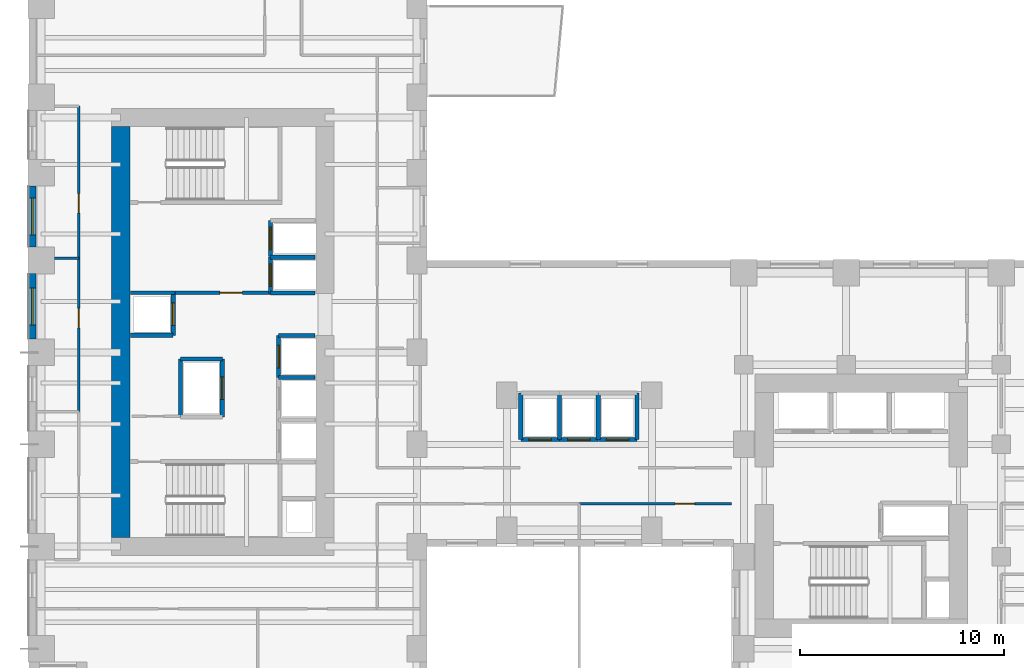
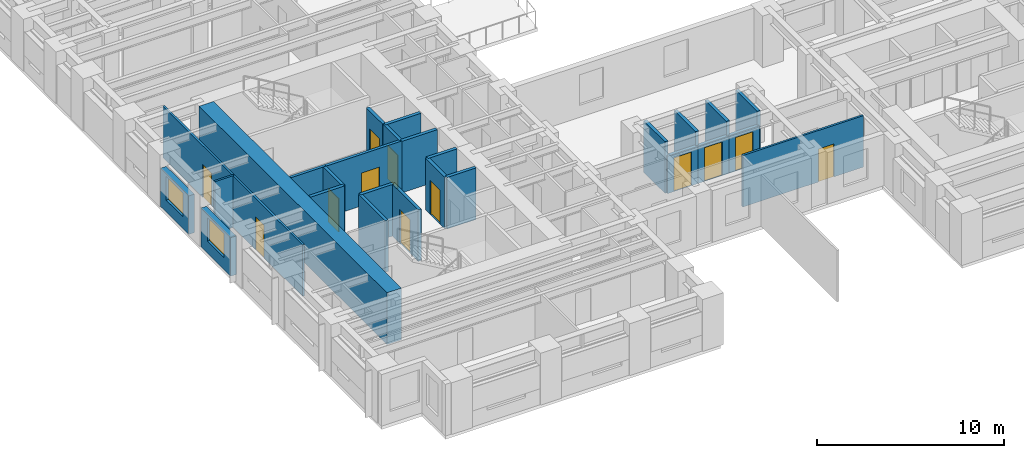
# One storey, part 5 of 12: 28 walls, 12 doors, 2 windows, 14 openings.
"""IFC4 building model written with IfcOpenShell, lengths in metres."""

import ifcopenshell
import ifcopenshell.guid

model = None  # the IFC model being written
_history = None  # IfcOwnerHistory: only IFC2X3 demands one
_inside = {}  # id of a spatial element -> (the spatial element, [elements in it])
_under = {}  # id of a project, library or spatial element -> (it, [spatial elements below it])
_declared = {}  # id of a project -> (the project, [libraries it declares])
_typed = {}  # id of a type object -> (the type object, [elements of that type])
_made_of = {}  # id of a material, layer set ... -> (it, [elements and type objects made of it])


def new_model(schema):
    """Start an empty IFC model of exactly this schema.

    Asked for "IFC4X3", IfcOpenShell would pick the latest addendum, in which some entities
    have other attributes; the version numbers below select the first issue.
    IFC2X3 requires an IfcOwnerHistory on every rooted entity: one is made here for all.
    """
    global model, _history
    if schema == "IFC4X3":
        model = ifcopenshell.file(schema_version=(4, 3, 0, 0))
    else:
        model = ifcopenshell.file(schema=schema)
    _inside.clear()
    _under.clear()
    _declared.clear()
    _typed.clear()
    _made_of.clear()
    _history = None
    if model.schema == "IFC2X3":
        org = make("IfcOrganization", Name="unknown")
        user = make(
            "IfcPersonAndOrganization",
            ThePerson=make("IfcPerson", FamilyName="unknown"),
            TheOrganization=org,
        )
        app = make(
            "IfcApplication",
            ApplicationDeveloper=org,
            Version="unknown",
            ApplicationFullName="unknown",
            ApplicationIdentifier="unknown",
        )
        _history = make(
            "IfcOwnerHistory",
            OwningUser=user,
            OwningApplication=app,
            ChangeAction="ADDED",
            CreationDate=0,
        )
    return model


def make(cls, **values):
    """One entity of the class cls with the attributes given. An attribute that is None is left unset."""
    return model.create_entity(
        cls, **{name: value for name, value in values.items() if value is not None}
    )


def rooted(cls, **values):
    """An entity with a GlobalId (a new one), such as an element, a storey or a relation."""
    return make(cls, GlobalId=ifcopenshell.guid.new(), OwnerHistory=_history, **values)


def si_unit(unit_type, name, prefix=None):
    """IfcSIUnit, for example si_unit("LENGTHUNIT", "METRE", prefix="MILLI")."""
    return make("IfcSIUnit", UnitType=unit_type, Prefix=prefix, Name=name)


def assignment(units):
    """IfcUnitAssignment: the units of a project."""
    return None if units is None else make("IfcUnitAssignment", Units=units)


def point(xyz):
    """IfcCartesianPoint."""
    return None if xyz is None else make("IfcCartesianPoint", Coordinates=xyz)


def direction(xyz):
    """IfcDirection."""
    return None if xyz is None else make("IfcDirection", DirectionRatios=xyz)


def frame(location, z_axis=None, x_axis=None):
    """IfcAxis2Placement3D, a coordinate frame: its origin and axes. An axis left out is left unset."""
    return make(
        "IfcAxis2Placement3D",
        Location=point(location),
        Axis=direction(z_axis),
        RefDirection=direction(x_axis),
    )


def frame_2d(location, x_axis=None):
    """IfcAxis2Placement2D, a coordinate frame in the plane: its origin and x axis."""
    return make(
        "IfcAxis2Placement2D", Location=point(location), RefDirection=direction(x_axis)
    )


def origin():
    """The frame at (0, 0, 0) with its axes left unset."""
    return frame((0.0, 0.0, 0.0))


def place(relative_to, where):
    """IfcLocalPlacement: puts the frame where relative to a parent placement (None: the world)."""
    return make(
        "IfcLocalPlacement", PlacementRelTo=relative_to, RelativePlacement=where
    )


def context(
    kind, dimensions, precision=None, world=None, true_north=None, identifier=None
):
    """IfcGeometricRepresentationContext, for example the 3D "Model" context."""
    return make(
        "IfcGeometricRepresentationContext",
        ContextIdentifier=identifier,
        ContextType=kind,
        CoordinateSpaceDimension=dimensions,
        Precision=precision,
        WorldCoordinateSystem=world,
        TrueNorth=true_north,
    )


def subcontext(parent, identifier, kind, view, scale=None):
    """IfcGeometricRepresentationSubContext, for example "Body" below "Model"."""
    return make(
        "IfcGeometricRepresentationSubContext",
        ContextIdentifier=identifier,
        ContextType=kind,
        ParentContext=parent,
        TargetScale=scale,
        TargetView=view,
    )


def project(units=None, contexts=None):
    """IfcProject with its units and contexts."""
    return rooted(
        "IfcProject",
        Name="project",
        RepresentationContexts=contexts,
        UnitsInContext=assignment(units),
    )


def spatial(cls, under=None, at=None, **own):
    """A site, building, storey or space (cls), placed at a placement, below another one or the project."""
    s = rooted(cls, ObjectPlacement=at, **own)
    if under is not None:
        _under.setdefault(under.id(), (under, []))[1].append(s)
    return s


def profile(cls, at=None, kind="AREA", **sizes):
    """A parametric profile (cls). Its sizes go by their IFC names, for example OverallWidth=200.0."""
    return make(cls, ProfileType=kind, Position=at, **sizes)


def rectangle(**sizes):
    """IfcRectangleProfileDef."""
    return profile("IfcRectangleProfileDef", **sizes)


def extrude(swept, where, along, depth):
    """IfcExtrudedAreaSolid: the profile swept, set in the frame where, extruded along a direction by depth."""
    return make(
        "IfcExtrudedAreaSolid",
        SweptArea=swept,
        Position=where,
        ExtrudedDirection=direction(along),
        Depth=depth,
    )


def shape(context_of_items, identifier, shape_type, items):
    """IfcShapeRepresentation: the items that make up one representation, for example the "Body"."""
    return make(
        "IfcShapeRepresentation",
        ContextOfItems=context_of_items,
        RepresentationIdentifier=identifier,
        RepresentationType=shape_type,
        Items=items,
    )


def source(mapping_origin, context_of_items, identifier, shape_type, items):
    """IfcRepresentationMap: a shape defined once, which mapped items show again and again."""
    return make(
        "IfcRepresentationMap",
        MappingOrigin=mapping_origin,
        MappedRepresentation=shape(context_of_items, identifier, shape_type, items),
    )


def transform(
    local_origin,
    x_axis=None,
    y_axis=None,
    z_axis=None,
    scale=None,
    scale2=None,
    scale3=None,
    uniform=True,
):
    """IfcCartesianTransformationOperator3D, or its non-uniform kind. x_axis, y_axis, z_axis: its Axis1, 2, 3."""
    if uniform:
        return make(
            "IfcCartesianTransformationOperator3D",
            Axis1=direction(x_axis),
            Axis2=direction(y_axis),
            LocalOrigin=point(local_origin),
            Scale=scale,
            Axis3=direction(z_axis),
        )
    return make(
        "IfcCartesianTransformationOperator3DnonUniform",
        Axis1=direction(x_axis),
        Axis2=direction(y_axis),
        LocalOrigin=point(local_origin),
        Scale=scale,
        Axis3=direction(z_axis),
        Scale2=scale2,
        Scale3=scale3,
    )


def mapped(mapping_source, mapping_target):
    """IfcMappedItem: shows the shape of a source again, moved by a transform."""
    return make(
        "IfcMappedItem", MappingSource=mapping_source, MappingTarget=mapping_target
    )


def material(Name=None, Category=None):
    """IfcMaterial."""
    return make("IfcMaterial", Name=Name, Category=Category)


def layer(
    of_material, thickness, ventilated=None, Name=None, Category=None, Priority=None
):
    """IfcMaterialLayer: one layer of a wall or slab, of a material (None: an air gap)."""
    return make(
        "IfcMaterialLayer",
        Material=of_material,
        LayerThickness=thickness,
        IsVentilated=ventilated,
        Name=Name,
        Category=Category,
        Priority=Priority,
    )


def layer_set(layers, Name=None):
    """IfcMaterialLayerSet."""
    return make("IfcMaterialLayerSet", MaterialLayers=layers, LayerSetName=Name)


def made_of(thing, what):
    """Note that an element or type object is made of a material, layer set ...; save() writes the relation."""
    if what is not None:
        _made_of.setdefault(what.id(), (what, []))[1].append(thing)
    return thing


def type_object(cls, material=None, **own):
    """A type object (cls), such as IfcWallType, which elements share."""
    return made_of(rooted(cls, **own), material)


def element(
    cls,
    number,
    at=None,
    inside=None,
    cuts=None,
    type_object=None,
    material=None,
    context=None,
    identifier="Body",
    shape_type=None,
    held_by="IfcProductDefinitionShape",
    body=None,
    shapes=None,
    **own,
):
    """One element of the class cls, such as IfcWall. Its Tag is "e" and its number.

    at: its placement. inside: the storey or other place that contains it. cuts: it is an
    opening in that element (IfcRelVoidsElement). A single representation is given by context,
    identifier, shape_type and body (its items); several are given by shapes. held_by: the class
    of the entity that holds the representations. save() writes the other relations.
    """
    e = rooted(cls, Tag="e%d" % number, ObjectPlacement=at, **own)
    if body is not None:
        shapes = [shape(context, identifier, shape_type, body)]
    if shapes is not None:
        e.Representation = make(held_by, Representations=shapes)
    if inside is not None:
        _inside.setdefault(inside.id(), (inside, []))[1].append(e)
    if cuts is not None:
        rooted(
            "IfcRelVoidsElement", RelatingBuildingElement=cuts, RelatedOpeningElement=e
        )
    if type_object is not None:
        _typed.setdefault(type_object.id(), (type_object, []))[1].append(e)
    return made_of(e, material)


def fill(opening, filler):
    """IfcRelFillsElement: the door or window that sits in an opening."""
    return rooted(
        "IfcRelFillsElement",
        RelatingOpeningElement=opening,
        RelatedBuildingElement=filler,
    )


def aggregate(whole, parts):
    """IfcRelAggregates: a whole, such as a stair, and the parts it consists of."""
    return rooted("IfcRelAggregates", RelatingObject=whole, RelatedObjects=parts)


def save(model, path):
    """Write the relations noted so far, then the file.

    IfcRelAggregates (storeys below a building ...), IfcRelContainedInSpatialStructure (elements
    in a storey), IfcRelDefinesByType, IfcRelAssociatesMaterial and IfcRelDeclares: one each for
    every whole, place, type object, material and project.
    """
    for whole, parts in _under.values():
        aggregate(whole, parts)
    for where, things in _inside.values():
        rooted(
            "IfcRelContainedInSpatialStructure",
            RelatedElements=things,
            RelatingStructure=where,
        )
    for kind, things in _typed.values():
        rooted("IfcRelDefinesByType", RelatedObjects=things, RelatingType=kind)
    for what, things in _made_of.values():
        rooted("IfcRelAssociatesMaterial", RelatedObjects=things, RelatingMaterial=what)
    for by, libraries in _declared.values():
        rooted("IfcRelDeclares", RelatingContext=by, RelatedDefinitions=libraries)
    model.write(path)


model = new_model("IFC4")

# Units and contexts
model_context = context("Model", 3, precision=1e-05, world=origin(), true_north=direction((0.0, 1.0)))
body_context = subcontext(model_context, "Body", "Model", "MODEL_VIEW")
ifc_project = project(units=[si_unit("LENGTHUNIT", "METRE"), si_unit("AREAUNIT", "SQUARE_METRE"), si_unit("VOLUMEUNIT", "CUBIC_METRE"), si_unit("PLANEANGLEUNIT", "RADIAN"), si_unit("MASSUNIT", "GRAM", prefix="KILO")], contexts=[model_context])

# Site, building, storey
site_placement = place(None, origin())
site = spatial("IfcSite", under=ifc_project, at=site_placement, CompositionType="ELEMENT")
building_placement = place(site_placement, origin())
building = spatial("IfcBuilding", under=site, at=building_placement, Name="Kharzan Plaza Tower", CompositionType="ELEMENT")
storey_placement = place(building_placement, frame((0.0, 0.0, 26.10009765625)))
storey = spatial("IfcBuildingStorey", under=building, at=storey_placement, Name="L06", CompositionType="ELEMENT", Elevation=26.10009765625)

# Wall, opening, window
ifc_material_1 = material(Name="Concrete C40/50", Category="concrete")
ifc_layer_1 = layer(ifc_material_1, 0.35009765625)
ifc_layer_set_1 = layer_set([ifc_layer_1], Name="Concrete C40/50")
wall_type_1 = type_object("IfcWallType", Name="WL-EXT-MAS-Z1", PredefinedType="SOLIDWALL", material=ifc_layer_set_1)
wall_1_placement = place(storey_placement, frame((0.175048828125, 26.152099609375, 0.0), z_axis=(0.0, 0.0, 1.0), x_axis=(0.0, -1.0, 0.0)))
wall_1 = element("IfcWall", 1, at=wall_1_placement, inside=storey, type_object=wall_type_1, Name="L06 Masonry-Frame Exterior Wall 15", PredefinedType="SOLIDWALL", context=body_context, shape_type="SweptSolid", body=[
    extrude(rectangle(XDim=3.004150390625, YDim=0.35009765625, at=frame_2d((1.501953125, 0.0))), origin(), (0.0, 0.0, 1.0), 2.510009765625),
])
opening_1_placement = place(wall_1_placement, frame((0.60205078125, 0.0, 0.780029296875)))
opening_1 = element("IfcOpeningElement", 2, at=opening_1_placement, cuts=wall_1, Name="Opening W1", PredefinedType="OPENING", context=body_context, shape_type="SweptSolid", body=[
    extrude(rectangle(XDim=1.800048828125, YDim=1.550048828125, at=frame_2d((0.89990234375, 0.77490234375))), frame((0.0, 0.18505859375, 0.0), z_axis=(0.0, -1.0, 0.0), x_axis=(1.0, 0.0, 0.0)), (0.0, 0.0, 1.0), 0.3701171875),
])
ifc_material_2 = material(Name="Low-E Double Glazing", Category="glass")
window_type = type_object("IfcWindowType", Name="WN-REC-1800x2100", PartitioningType="SINGLE_PANEL", PredefinedType="WINDOW", material=ifc_material_2)
shared_shape_1 = source(origin(), body_context, "Body", "SweptSolid", [
    extrude(rectangle(XDim=1.800048828125, YDim=1.550048828125, at=frame_2d((0.89990234375, 0.77490234375))), frame((0.0, 0.030029296875, 0.0), z_axis=(0.0, -1.0, 0.0), x_axis=(1.0, 0.0, 0.0)), (0.0, 0.0, 1.0), 0.06005859375),
])
window_1_placement = place(opening_1_placement, origin())
window_1 = element("IfcWindow", 3, at=window_1_placement, inside=storey, type_object=window_type, Name="L06 Recessed Solar-Control Window 15-1", OverallHeight=1.550048828125, OverallWidth=1.800048828125, PartitioningType="SINGLE_PANEL", PredefinedType="WINDOW", context=body_context, shape_type="MappedRepresentation", body=[
    mapped(shared_shape_1, transform((0.0, 0.0, 0.0), x_axis=(1.0, 0.0, 0.0), y_axis=(0.0, 1.0, 0.0), z_axis=(0.0, 0.0, 1.0))),
])
fill(opening_1, window_1)

wall_2_placement = place(storey_placement, frame((0.175048828125, 21.85205078125, 0.0), z_axis=(0.0, 0.0, 1.0), x_axis=(0.0, -1.0, 0.0)))
wall_2 = element("IfcWall", 4, at=wall_2_placement, inside=storey, type_object=wall_type_1, Name="L06 Masonry-Frame Exterior Wall 16", PredefinedType="SOLIDWALL", context=body_context, shape_type="SweptSolid", body=[
    extrude(rectangle(XDim=3.2041015625, YDim=0.35009765625, at=frame_2d((1.60205078125, 0.0))), origin(), (0.0, 0.0, 1.0), 2.510009765625),
])
opening_2_placement = place(wall_2_placement, frame((0.701904296875, 0.0, 0.780029296875)))
opening_2 = element("IfcOpeningElement", 5, at=opening_2_placement, cuts=wall_2, Name="Opening W1", PredefinedType="OPENING", context=body_context, shape_type="SweptSolid", body=[
    extrude(rectangle(XDim=1.800048828125, YDim=1.550048828125, at=frame_2d((0.89990234375, 0.77490234375))), frame((0.0, 0.18505859375, 0.0), z_axis=(0.0, -1.0, 0.0), x_axis=(1.0, 0.0, 0.0)), (0.0, 0.0, 1.0), 0.3701171875),
])
window_2_placement = place(opening_2_placement, origin())
window_2 = element("IfcWindow", 6, at=window_2_placement, inside=storey, type_object=window_type, Name="L06 Recessed Solar-Control Window 16-1", OverallHeight=1.550048828125, OverallWidth=1.800048828125, PartitioningType="SINGLE_PANEL", PredefinedType="WINDOW", context=body_context, shape_type="MappedRepresentation", body=[
    mapped(shared_shape_1, transform((0.0, 0.0, 0.0), x_axis=(1.0, 0.0, 0.0), y_axis=(0.0, 1.0, 0.0), z_axis=(0.0, 0.0, 1.0))),
])
fill(opening_2, window_2)

# Wall, opening, door
ifc_layer_2 = layer(ifc_material_1, 0.179931640625)
ifc_layer_set_2 = layer_set([ifc_layer_2], Name="Concrete C40/50")
wall_type_2 = type_object("IfcWallType", Name="WL-INT-FIRE-180", PredefinedType="PARTITIONING", material=ifc_layer_set_2)
wall_3_placement = place(storey_placement, frame((7.14990234375, 20.919921875, 0.0), z_axis=(0.0, 0.0, 1.0), x_axis=(1.0, 0.0, 0.0)))
wall_3 = element("IfcWall", 7, at=wall_3_placement, inside=storey, type_object=wall_type_2, Name="L06 Interior Partition CA-FF-S", PredefinedType="PARTITIONING", context=body_context, shape_type="SweptSolid", body=[
    extrude(rectangle(XDim=4.68017578125, YDim=0.179931640625, at=frame_2d((2.340087890625, 0.0))), origin(), (0.0, 0.0, 1.0), 3.364990234375),
])
opening_3_placement = place(wall_3_placement, frame((2.199951171875, 0.0, 0.0)))
opening_3 = element("IfcOpeningElement", 8, at=opening_3_placement, cuts=wall_3, Name="Opening FD1", PredefinedType="OPENING", context=body_context, shape_type="SweptSolid", body=[
    extrude(rectangle(XDim=1.10009765625, YDim=2.14990234375, at=frame_2d((0.550048828125, 1.074951171875))), frame((0.0, 0.099853515625, 0.0), z_axis=(0.0, -1.0, 0.0), x_axis=(1.0, 0.0, 0.0)), (0.0, 0.0, 1.0), 0.199951171875),
])
ifc_material_3 = material(Name="Fire-Rated Acoustic Vision-Panel Steel", Category="steel")
door_type_1 = type_object("IfcDoorType", Name="DR-FIRE-LOBBY", OperationType="NOTDEFINED", PredefinedType="DOOR", material=ifc_material_3)
shared_shape_2 = source(origin(), body_context, "Body", "SweptSolid", [
    extrude(rectangle(XDim=1.10009765625, YDim=2.14990234375, at=frame_2d((0.550048828125, 1.074951171875))), frame((0.0, 0.02490234375, 0.0), z_axis=(0.0, -1.0, 0.0), x_axis=(1.0, 0.0, 0.0)), (0.0, 0.0, 1.0), 0.050048828125),
])
door_1_placement = place(opening_3_placement, origin())
door_1 = element("IfcDoor", 9, at=door_1_placement, inside=storey, type_object=door_type_1, Name="L06 Firefighting Lobby Door", OperationType="SINGLE_SWING_LEFT", OverallHeight=2.14990234375, OverallWidth=1.10009765625, PredefinedType="DOOR", context=body_context, shape_type="MappedRepresentation", body=[
    mapped(shared_shape_2, transform((0.0, 0.0, 0.0), x_axis=(1.0, 0.0, 0.0), y_axis=(0.0, 1.0, 0.0), z_axis=(0.0, 0.0, 1.0))),
])
fill(opening_3, door_1)

ifc_material_4 = material(Name="Fire-Rated Gypsum Board Partition", Category="gypsum")
ifc_layer_3 = layer(ifc_material_4, 0.125)
ifc_layer_set_3 = layer_set([ifc_layer_3], Name="Fire-Rated Gypsum Board Partition")
wall_type_3 = type_object("IfcWallType", Name="WL-INT-PART-125", PredefinedType="PARTITIONING", material=ifc_layer_set_3)
wall_4_placement = place(storey_placement, frame((26.949951171875, 10.60009765625, 0.0), z_axis=(0.0, 0.0, 1.0), x_axis=(1.0, 0.0, 0.0)))
wall_4 = element("IfcWall", 10, at=wall_4_placement, inside=storey, type_object=wall_type_3, Name="L06 Interior Partition SH-SPS2", PredefinedType="PARTITIONING", context=body_context, shape_type="SweptSolid", body=[
    extrude(rectangle(XDim=7.449951171875, YDim=0.125, at=frame_2d((3.72509765625, 0.0))), origin(), (0.0, 0.0, 1.0), 3.364990234375),
])
opening_4_placement = place(wall_4_placement, frame((4.6826171875, 0.0, 0.0)))
opening_4 = element("IfcOpeningElement", 11, at=opening_4_placement, cuts=wall_4, Name="Opening OD1", PredefinedType="OPENING", context=body_context, shape_type="SweptSolid", body=[
    extrude(rectangle(XDim=0.949951171875, YDim=2.14990234375, at=frame_2d((0.47509765625, 1.074951171875))), frame((0.0, 0.072509765625, 0.0), z_axis=(0.0, -1.0, 0.0), x_axis=(1.0, 0.0, 0.0)), (0.0, 0.0, 1.0), 0.14501953125),
])
ifc_material_5 = material(Name="Acoustic Solid-Core Stained Oak", Category="timber")
door_type_2 = type_object("IfcDoorType", Name="DR-OFF-SINGLE", OperationType="NOTDEFINED", PredefinedType="DOOR", material=ifc_material_5)
shared_shape_3 = source(origin(), body_context, "Body", "SweptSolid", [
    extrude(rectangle(XDim=0.949951171875, YDim=2.14990234375, at=frame_2d((0.47509765625, 1.074951171875))), frame((0.0, 0.02490234375, 0.0), z_axis=(0.0, -1.0, 0.0), x_axis=(1.0, 0.0, 0.0)), (0.0, 0.0, 1.0), 0.050048828125),
])
door_2_placement = place(opening_4_placement, origin())
door_2 = element("IfcDoor", 12, at=door_2_placement, inside=storey, type_object=door_type_2, Name="L06 South Spine East Door", OperationType="SINGLE_SWING_LEFT", OverallHeight=2.14990234375, OverallWidth=0.949951171875, PredefinedType="DOOR", context=body_context, shape_type="MappedRepresentation", body=[
    mapped(shared_shape_3, transform((0.0, 0.0, 0.0), x_axis=(1.0, 0.0, 0.0), y_axis=(0.0, 1.0, 0.0), z_axis=(0.0, 0.0, 1.0))),
])
fill(opening_4, door_2)

wall_5_placement = place(storey_placement, frame((2.449951171875, 15.10009765625, 0.0), z_axis=(0.0, 0.0, 1.0), x_axis=(0.0, 1.0, 0.0)))
wall_5 = element("IfcWall", 13, at=wall_5_placement, inside=storey, type_object=wall_type_3, Name="L06 Interior Partition SH-WW-2", PredefinedType="PARTITIONING", context=body_context, shape_type="SweptSolid", body=[
    extrude(rectangle(XDim=7.5, YDim=0.125, at=frame_2d((3.75, 0.0))), origin(), (0.0, 0.0, 1.0), 3.364990234375),
])
opening_5_placement = place(wall_5_placement, frame((4.100341796875, 0.0, 0.0)))
opening_5 = element("IfcOpeningElement", 14, at=opening_5_placement, cuts=wall_5, Name="Opening OD1", PredefinedType="OPENING", context=body_context, shape_type="SweptSolid", body=[
    extrude(rectangle(XDim=0.949951171875, YDim=2.14990234375, at=frame_2d((0.47509765625, 1.074951171875))), frame((0.0, 0.072509765625, 0.0), z_axis=(0.0, -1.0, 0.0), x_axis=(1.0, 0.0, 0.0)), (0.0, 0.0, 1.0), 0.14501953125),
])
door_3_placement = place(opening_5_placement, origin())
door_3 = element("IfcDoor", 15, at=door_3_placement, inside=storey, type_object=door_type_2, Name="L06 Project Controls Office Door", OperationType="SINGLE_SWING_LEFT", OverallHeight=2.14990234375, OverallWidth=0.949951171875, PredefinedType="DOOR", context=body_context, shape_type="MappedRepresentation", body=[
    mapped(shared_shape_3, transform((0.0, 0.0, 0.0), x_axis=(1.0, 0.0, 0.0), y_axis=(0.0, 1.0, 0.0), z_axis=(0.0, 0.0, 1.0))),
])
fill(opening_5, door_3)

wall_6_placement = place(storey_placement, frame((2.449951171875, 22.60009765625, 0.0), z_axis=(0.0, 0.0, 1.0), x_axis=(0.0, 1.0, 0.0)))
wall_6 = element("IfcWall", 16, at=wall_6_placement, inside=storey, type_object=wall_type_3, Name="L06 Interior Partition SH-WW-3", PredefinedType="PARTITIONING", context=body_context, shape_type="SweptSolid", body=[
    extrude(rectangle(XDim=7.449951171875, YDim=0.125, at=frame_2d((3.72509765625, 0.0))), origin(), (0.0, 0.0, 1.0), 3.364990234375),
])
opening_6_placement = place(wall_6_placement, frame((2.226806640625, 0.0, 0.0)))
opening_6 = element("IfcOpeningElement", 17, at=opening_6_placement, cuts=wall_6, Name="Opening OD1", PredefinedType="OPENING", context=body_context, shape_type="SweptSolid", body=[
    extrude(rectangle(XDim=0.949951171875, YDim=2.14990234375, at=frame_2d((0.47509765625, 1.074951171875))), frame((0.0, 0.072509765625, 0.0), z_axis=(0.0, -1.0, 0.0), x_axis=(1.0, 0.0, 0.0)), (0.0, 0.0, 1.0), 0.14501953125),
])
door_4_placement = place(opening_6_placement, origin())
door_4 = element("IfcDoor", 18, at=door_4_placement, inside=storey, type_object=door_type_2, Name="L06 Design Review Briefing Room Door", OperationType="SINGLE_SWING_RIGHT", OverallHeight=2.14990234375, OverallWidth=0.949951171875, PredefinedType="DOOR", context=body_context, shape_type="MappedRepresentation", body=[
    mapped(shared_shape_3, transform((0.0, 0.0, 0.0), x_axis=(1.0, 0.0, 0.0), y_axis=(0.0, 1.0, 0.0), z_axis=(0.0, 0.0, 1.0))),
])
fill(opening_6, door_4)

ifc_layer_4 = layer(ifc_material_1, 0.199951171875)
ifc_layer_set_4 = layer_set([ifc_layer_4], Name="Concrete C40/50")
wall_type_4 = type_object("IfcWallType", Name="WL-INT-SHAFT-200", PredefinedType="PARTITIONING", material=ifc_layer_set_4)
wall_7_placement = place(storey_placement, frame((11.830078125, 20.89990234375, 0.0), z_axis=(0.0, 0.0, 1.0), x_axis=(0.0, 1.0, 0.0)))
wall_7 = element("IfcWall", 19, at=wall_7_placement, inside=storey, type_object=wall_type_4, Name="L06 Interior Partition SHF-FFL-1-W", PredefinedType="PARTITIONING", context=body_context, shape_type="SweptSolid", body=[
    extrude(rectangle(XDim=1.760009765625, YDim=0.199951171875, at=frame_2d((0.8798828125, 0.0))), origin(), (0.0, 0.0, 1.0), 3.364990234375),
])
opening_7_placement = place(wall_7_placement, frame((0.330078125, 0.0, 0.0)))
opening_7 = element("IfcOpeningElement", 20, at=opening_7_placement, cuts=wall_7, Name="Opening LD", PredefinedType="OPENING", context=body_context, shape_type="SweptSolid", body=[
    extrude(rectangle(XDim=1.10009765625, YDim=2.199951171875, at=frame_2d((0.550048828125, 1.10009765625))), frame((0.0, 0.10986328125, 0.0), z_axis=(0.0, -1.0, 0.0), x_axis=(1.0, 0.0, 0.0)), (0.0, 0.0, 1.0), 0.219970703125),
])
ifc_material_6 = material(Name="Brushed Stainless Steel", Category="steel")
door_type_3 = type_object("IfcDoorType", Name="DR-LIFT-SLIDE", OperationType="SLIDING_TO_LEFT", PredefinedType="DOOR", material=ifc_material_6)
shared_shape_4 = source(origin(), body_context, "Body", "SweptSolid", [
    extrude(rectangle(XDim=1.10009765625, YDim=2.199951171875, at=frame_2d((0.550048828125, 1.10009765625))), frame((0.0, 0.02490234375, 0.0), z_axis=(0.0, -1.0, 0.0), x_axis=(1.0, 0.0, 0.0)), (0.0, 0.0, 1.0), 0.050048828125),
])
door_5_placement = place(opening_7_placement, origin())
door_5 = element("IfcDoor", 21, at=door_5_placement, inside=storey, type_object=door_type_3, Name="L06 Firefighting Lift FFL-1 Sliding Landing Door", OperationType="SLIDING_TO_LEFT", OverallHeight=2.199951171875, OverallWidth=1.10009765625, PredefinedType="DOOR", context=body_context, shape_type="MappedRepresentation", body=[
    mapped(shared_shape_4, transform((0.0, 0.0, 0.0), x_axis=(1.0, 0.0, 0.0), y_axis=(0.0, 1.0, 0.0), z_axis=(0.0, 0.0, 1.0))),
])
fill(opening_7, door_5)

wall_8_placement = place(storey_placement, frame((11.830078125, 22.699951171875, 0.0), z_axis=(0.0, 0.0, 1.0), x_axis=(0.0, 1.0, 0.0)))
wall_8 = element("IfcWall", 22, at=wall_8_placement, inside=storey, type_object=wall_type_4, Name="L06 Interior Partition SHF-FFL-2-W", PredefinedType="PARTITIONING", context=body_context, shape_type="SweptSolid", body=[
    extrude(rectangle(XDim=1.760009765625, YDim=0.199951171875, at=frame_2d((0.8798828125, 0.0))), origin(), (0.0, 0.0, 1.0), 3.364990234375),
])
opening_8_placement = place(wall_8_placement, frame((0.330078125, 0.0, 0.0)))
opening_8 = element("IfcOpeningElement", 23, at=opening_8_placement, cuts=wall_8, Name="Opening LD", PredefinedType="OPENING", context=body_context, shape_type="SweptSolid", body=[
    extrude(rectangle(XDim=1.10009765625, YDim=2.199951171875, at=frame_2d((0.550048828125, 1.10009765625))), frame((0.0, 0.10986328125, 0.0), z_axis=(0.0, -1.0, 0.0), x_axis=(1.0, 0.0, 0.0)), (0.0, 0.0, 1.0), 0.219970703125),
])
door_6_placement = place(opening_8_placement, origin())
door_6 = element("IfcDoor", 24, at=door_6_placement, inside=storey, type_object=door_type_3, Name="L06 Firefighting Lift FFL-2 Sliding Landing Door", OperationType="SLIDING_TO_LEFT", OverallHeight=2.199951171875, OverallWidth=1.10009765625, PredefinedType="DOOR", context=body_context, shape_type="MappedRepresentation", body=[
    mapped(shared_shape_4, transform((0.0, 0.0, 0.0), x_axis=(1.0, 0.0, 0.0), y_axis=(0.0, 1.0, 0.0), z_axis=(0.0, 0.0, 1.0))),
])
fill(opening_8, door_6)

wall_9_placement = place(storey_placement, frame((12.22998046875, 16.77001953125, 0.0), z_axis=(0.0, 0.0, 1.0), x_axis=(0.0, 1.0, 0.0)))
wall_9 = element("IfcWall", 25, at=wall_9_placement, inside=storey, type_object=wall_type_4, Name="L06 Interior Partition SHF-PL-H3-W", PredefinedType="PARTITIONING", context=body_context, shape_type="SweptSolid", body=[
    extrude(rectangle(XDim=2.050048828125, YDim=0.199951171875, at=frame_2d((1.02490234375, 0.0))), origin(), (0.0, 0.0, 1.0), 3.364990234375),
])
opening_9_placement = place(wall_9_placement, frame((0.47509765625, 0.0, 0.0)))
opening_9 = element("IfcOpeningElement", 26, at=opening_9_placement, cuts=wall_9, Name="Opening LD", PredefinedType="OPENING", context=body_context, shape_type="SweptSolid", body=[
    extrude(rectangle(XDim=1.10009765625, YDim=2.199951171875, at=frame_2d((0.550048828125, 1.10009765625))), frame((0.0, 0.10986328125, 0.0), z_axis=(0.0, -1.0, 0.0), x_axis=(1.0, 0.0, 0.0)), (0.0, 0.0, 1.0), 0.219970703125),
])
door_7_placement = place(opening_9_placement, origin())
door_7 = element("IfcDoor", 27, at=door_7_placement, inside=storey, type_object=door_type_3, Name="L06 High-Rise Passenger Lift PL-H3 Sliding Landing Door", OperationType="SLIDING_TO_LEFT", OverallHeight=2.199951171875, OverallWidth=1.10009765625, PredefinedType="DOOR", context=body_context, shape_type="MappedRepresentation", body=[
    mapped(shared_shape_4, transform((0.0, 0.0, 0.0), x_axis=(1.0, 0.0, 0.0), y_axis=(0.0, 1.0, 0.0), z_axis=(0.0, 0.0, 1.0))),
])
fill(opening_9, door_7)

wall_10_placement = place(storey_placement, frame((7.070068359375, 18.840087890625, 0.0), z_axis=(0.0, 0.0, 1.0), x_axis=(0.0, 1.0, 0.0)))
wall_10 = element("IfcWall", 28, at=wall_10_placement, inside=storey, type_object=wall_type_4, Name="L06 Interior Partition SHF-PL-H4-E", PredefinedType="PARTITIONING", context=body_context, shape_type="SweptSolid", body=[
    extrude(rectangle(XDim=2.059814453125, YDim=0.199951171875, at=frame_2d((1.02978515625, 0.0))), origin(), (0.0, 0.0, 1.0), 3.364990234375),
])
opening_10_placement = place(wall_10_placement, frame((0.47998046875, 0.0, 0.0)))
opening_10 = element("IfcOpeningElement", 29, at=opening_10_placement, cuts=wall_10, Name="Opening LD", PredefinedType="OPENING", context=body_context, shape_type="SweptSolid", body=[
    extrude(rectangle(XDim=1.10009765625, YDim=2.199951171875, at=frame_2d((0.550048828125, 1.10009765625))), frame((0.0, 0.10986328125, 0.0), z_axis=(0.0, -1.0, 0.0), x_axis=(1.0, 0.0, 0.0)), (0.0, 0.0, 1.0), 0.219970703125),
])
door_8_placement = place(opening_10_placement, origin())
door_8 = element("IfcDoor", 30, at=door_8_placement, inside=storey, type_object=door_type_3, Name="L06 High-Rise Passenger Lift PL-H4 Sliding Landing Door", OperationType="SLIDING_TO_LEFT", OverallHeight=2.199951171875, OverallWidth=1.10009765625, PredefinedType="DOOR", context=body_context, shape_type="MappedRepresentation", body=[
    mapped(shared_shape_4, transform((0.0, 0.0, 0.0), x_axis=(1.0, 0.0, 0.0), y_axis=(0.0, 1.0, 0.0), z_axis=(0.0, 0.0, 1.0))),
])
fill(opening_10, door_8)

wall_11_placement = place(storey_placement, frame((24.080078125, 13.72998046875, 0.0), z_axis=(0.0, 0.0, 1.0), x_axis=(1.0, 0.0, 0.0)))
wall_11 = element("IfcWall", 31, at=wall_11_placement, inside=storey, type_object=wall_type_4, Name="L06 Interior Partition SHF-PL-M1-S", PredefinedType="PARTITIONING", context=body_context, shape_type="SweptSolid", body=[
    extrude(rectangle(XDim=1.889892578125, YDim=0.199951171875, at=frame_2d((0.94482421875, 0.0))), origin(), (0.0, 0.0, 1.0), 2.44580078125),
])
opening_11_placement = place(wall_11_placement, frame((0.39501953125, 0.0, 0.0)))
opening_11 = element("IfcOpeningElement", 32, at=opening_11_placement, cuts=wall_11, Name="Opening LD", PredefinedType="OPENING", context=body_context, shape_type="SweptSolid", body=[
    extrude(rectangle(XDim=1.10009765625, YDim=2.199951171875, at=frame_2d((0.550048828125, 1.10009765625))), frame((0.0, 0.10986328125, 0.0), z_axis=(0.0, -1.0, 0.0), x_axis=(1.0, 0.0, 0.0)), (0.0, 0.0, 1.0), 0.219970703125),
])
door_9_placement = place(opening_11_placement, origin())
door_9 = element("IfcDoor", 33, at=door_9_placement, inside=storey, type_object=door_type_3, Name="L06 Mid-Rise Passenger Lift PL-M1 Sliding Landing Door", OperationType="SLIDING_TO_LEFT", OverallHeight=2.199951171875, OverallWidth=1.10009765625, PredefinedType="DOOR", context=body_context, shape_type="MappedRepresentation", body=[
    mapped(shared_shape_4, transform((0.0, 0.0, 0.0), x_axis=(1.0, 0.0, 0.0), y_axis=(0.0, 1.0, 0.0), z_axis=(0.0, 0.0, 1.0))),
])
fill(opening_11, door_9)

wall_12_placement = place(storey_placement, frame((25.97998046875, 13.72998046875, 0.0), z_axis=(0.0, 0.0, 1.0), x_axis=(1.0, 0.0, 0.0)))
wall_12 = element("IfcWall", 34, at=wall_12_placement, inside=storey, type_object=wall_type_4, Name="L06 Interior Partition SHF-PL-M2-S", PredefinedType="PARTITIONING", context=body_context, shape_type="SweptSolid", body=[
    extrude(rectangle(XDim=1.89013671875, YDim=0.199951171875, at=frame_2d((0.945068359375, 0.0))), origin(), (0.0, 0.0, 1.0), 2.44580078125),
])
opening_12_placement = place(wall_12_placement, frame((0.39501953125, 0.0, 0.0)))
opening_12 = element("IfcOpeningElement", 35, at=opening_12_placement, cuts=wall_12, Name="Opening LD", PredefinedType="OPENING", context=body_context, shape_type="SweptSolid", body=[
    extrude(rectangle(XDim=1.10009765625, YDim=2.199951171875, at=frame_2d((0.550048828125, 1.10009765625))), frame((0.0, 0.10986328125, 0.0), z_axis=(0.0, -1.0, 0.0), x_axis=(1.0, 0.0, 0.0)), (0.0, 0.0, 1.0), 0.219970703125),
])
door_10_placement = place(opening_12_placement, origin())
door_10 = element("IfcDoor", 36, at=door_10_placement, inside=storey, type_object=door_type_3, Name="L06 Mid-Rise Passenger Lift PL-M2 Sliding Landing Door", OperationType="SLIDING_TO_LEFT", OverallHeight=2.199951171875, OverallWidth=1.10009765625, PredefinedType="DOOR", context=body_context, shape_type="MappedRepresentation", body=[
    mapped(shared_shape_4, transform((0.0, 0.0, 0.0), x_axis=(1.0, 0.0, 0.0), y_axis=(0.0, 1.0, 0.0), z_axis=(0.0, 0.0, 1.0))),
])
fill(opening_12, door_10)

wall_13_placement = place(storey_placement, frame((27.8798828125, 13.72998046875, 0.0), z_axis=(0.0, 0.0, 1.0), x_axis=(1.0, 0.0, 0.0)))
wall_13 = element("IfcWall", 37, at=wall_13_placement, inside=storey, type_object=wall_type_4, Name="L06 Interior Partition SHF-PL-M3-S", PredefinedType="PARTITIONING", context=body_context, shape_type="SweptSolid", body=[
    extrude(rectangle(XDim=1.89013671875, YDim=0.199951171875, at=frame_2d((0.945068359375, 0.0))), origin(), (0.0, 0.0, 1.0), 2.44580078125),
])
opening_13_placement = place(wall_13_placement, frame((0.39501953125, 0.0, 0.0)))
opening_13 = element("IfcOpeningElement", 38, at=opening_13_placement, cuts=wall_13, Name="Opening LD", PredefinedType="OPENING", context=body_context, shape_type="SweptSolid", body=[
    extrude(rectangle(XDim=1.10009765625, YDim=2.199951171875, at=frame_2d((0.550048828125, 1.10009765625))), frame((0.0, 0.10986328125, 0.0), z_axis=(0.0, -1.0, 0.0), x_axis=(1.0, 0.0, 0.0)), (0.0, 0.0, 1.0), 0.219970703125),
])
door_11_placement = place(opening_13_placement, origin())
door_11 = element("IfcDoor", 39, at=door_11_placement, inside=storey, type_object=door_type_3, Name="L06 Mid-Rise Passenger Lift PL-M3 Sliding Landing Door", OperationType="SLIDING_TO_LEFT", OverallHeight=2.199951171875, OverallWidth=1.10009765625, PredefinedType="DOOR", context=body_context, shape_type="MappedRepresentation", body=[
    mapped(shared_shape_4, transform((0.0, 0.0, 0.0), x_axis=(1.0, 0.0, 0.0), y_axis=(0.0, 1.0, 0.0), z_axis=(0.0, 0.0, 1.0))),
])
fill(opening_13, door_11)

wall_14_placement = place(storey_placement, frame((9.469970703125, 14.830078125, 0.0), z_axis=(0.0, 0.0, 1.0), x_axis=(0.0, 1.0, 0.0)))
wall_14 = element("IfcWall", 40, at=wall_14_placement, inside=storey, type_object=wall_type_4, Name="L06 Interior Partition SHF-SVL-1-E", PredefinedType="PARTITIONING", context=body_context, shape_type="SweptSolid", body=[
    extrude(rectangle(XDim=2.83984375, YDim=0.199951171875, at=frame_2d((1.419921875, 0.0))), origin(), (0.0, 0.0, 1.0), 3.364990234375),
])
opening_14_placement = place(wall_14_placement, frame((0.8701171875, 0.0, 0.0)))
opening_14 = element("IfcOpeningElement", 41, at=opening_14_placement, cuts=wall_14, Name="Opening LD", PredefinedType="OPENING", context=body_context, shape_type="SweptSolid", body=[
    extrude(rectangle(XDim=1.10009765625, YDim=2.199951171875, at=frame_2d((0.550048828125, 1.10009765625))), frame((0.0, 0.10986328125, 0.0), z_axis=(0.0, -1.0, 0.0), x_axis=(1.0, 0.0, 0.0)), (0.0, 0.0, 1.0), 0.219970703125),
])
door_12_placement = place(opening_14_placement, origin())
door_12 = element("IfcDoor", 42, at=door_12_placement, inside=storey, type_object=door_type_3, Name="L06 Service Lift SVL-1 Sliding Landing Door", OperationType="SLIDING_TO_LEFT", OverallHeight=2.199951171875, OverallWidth=1.10009765625, PredefinedType="DOOR", context=body_context, shape_type="MappedRepresentation", body=[
    mapped(shared_shape_4, transform((0.0, 0.0, 0.0), x_axis=(1.0, 0.0, 0.0), y_axis=(0.0, 1.0, 0.0), z_axis=(0.0, 0.0, 1.0))),
])
fill(opening_14, door_12)

# Walls
ifc_material_7 = material(Name="Concrete C60/75", Category="concrete")
ifc_layer_5 = layer(ifc_material_7, 0.89990234375)
ifc_layer_set_5 = layer_set([ifc_layer_5], Name="Concrete C60/75")
wall_type_5 = type_object("IfcWallType", Name="WL-CORE-900", PredefinedType="SHEAR", material=ifc_layer_set_5)
shared_shape_5 = source(origin(), body_context, "Body", "SweptSolid", [
    extrude(rectangle(XDim=20.10009765625, YDim=0.89990234375, at=frame_2d((10.050048828125, 0.0))), origin(), (0.0, 0.0, 1.0), 3.3798828125),
])
wall_15_placement = place(storey_placement, frame((4.5, 8.949951171875, 0.0), z_axis=(0.0, 0.0, 1.0), x_axis=(0.0, 1.0, 0.0)))
element("IfcWall", 43, at=wall_15_placement, inside=storey, type_object=wall_type_5, Name="L06 CORE-A west RC shear wall", PredefinedType="SHEAR", context=body_context, shape_type="MappedRepresentation", body=[
    mapped(shared_shape_5, transform((0.0, 0.0, 0.0), x_axis=(1.0, 0.0, 0.0), y_axis=(0.0, 1.0, 0.0), z_axis=(0.0, 0.0, 1.0))),
])
shared_shape_6 = source(origin(), body_context, "Body", "SweptSolid", [
    extrude(rectangle(XDim=2.169921875, YDim=0.179931640625, at=frame_2d((1.0849609375, 0.0))), origin(), (0.0, 0.0, 1.0), 3.364990234375),
])
wall_16_placement = place(storey_placement, frame((4.97998046875, 20.919921875, 0.0), z_axis=(0.0, 0.0, 1.0), x_axis=(1.0, 0.0, 0.0)))
element("IfcWall", 44, at=wall_16_placement, inside=storey, type_object=wall_type_2, Name="L06 Interior Partition CA-FF-SW", PredefinedType="PARTITIONING", context=body_context, shape_type="MappedRepresentation", body=[
    mapped(shared_shape_6, transform((0.0, 0.0, 0.0), x_axis=(1.0, 0.0, 0.0), y_axis=(0.0, 1.0, 0.0), z_axis=(0.0, 0.0, 1.0))),
])
shared_shape_7 = source(origin(), body_context, "Body", "SweptSolid", [
    extrude(rectangle(XDim=1.18994140625, YDim=0.125, at=frame_2d((0.594970703125, 0.0))), origin(), (0.0, 0.0, 1.0), 3.364990234375),
])
wall_17_placement = place(storey_placement, frame((1.260009765625, 22.60009765625, 0.0), z_axis=(0.0, 0.0, 1.0), x_axis=(1.0, 0.0, 0.0)))
element("IfcWall", 45, at=wall_17_placement, inside=storey, type_object=wall_type_3, Name="L06 Interior Partition SH-WH-2", PredefinedType="PARTITIONING", context=body_context, shape_type="MappedRepresentation", body=[
    mapped(shared_shape_7, transform((0.0, 0.0, 0.0), x_axis=(1.0, 0.0, 0.0), y_axis=(0.0, 1.0, 0.0), z_axis=(0.0, 0.0, 1.0))),
])
shared_shape_8 = source(origin(), body_context, "Body", "SweptSolid", [
    extrude(rectangle(XDim=2.18994140625, YDim=0.199951171875, at=frame_2d((1.094970703125, 0.0))), origin(), (0.0, 0.0, 1.0), 3.364990234375),
])
for number, where, z_axis, x_axis, name in (
    (46, (11.830078125, 22.659912109375, 0.0), (0.0, 0.0, 1.0), (1.0, 0.0, 0.0), "L06 Interior Partition SHF-FFL-1-N"),
    (47, (11.830078125, 20.89990234375, 0.0), (0.0, 0.0, 1.0), (1.0, 0.0, 0.0), "L06 Interior Partition SHF-FFL-1-S"),
):
    element("IfcWall", number, at=place(storey_placement, frame(where, z_axis=z_axis, x_axis=x_axis)), inside=storey, type_object=wall_type_4, Name=name, PredefinedType="PARTITIONING", context=body_context, shape_type="MappedRepresentation", body=[
        mapped(shared_shape_8, transform((0.0, 0.0, 0.0), x_axis=(1.0, 0.0, 0.0), y_axis=(0.0, 1.0, 0.0), z_axis=(0.0, 0.0, 1.0))),
    ])
shared_shape_9 = source(origin(), body_context, "Body", "SweptSolid", [
    extrude(rectangle(XDim=1.7900390625, YDim=0.199951171875, at=frame_2d((0.89501953125, 0.0))), origin(), (0.0, 0.0, 1.0), 3.364990234375),
])
for number, where, z_axis, x_axis, name in (
    (48, (12.22998046875, 16.77001953125, 0.0), (0.0, 0.0, 1.0), (1.0, 0.0, 0.0), "L06 Interior Partition SHF-PL-H2-N"),
    (49, (12.22998046875, 18.820068359375, 0.0), (0.0, 0.0, 1.0), (1.0, 0.0, 0.0), "L06 Interior Partition SHF-PL-H3-N"),
):
    element("IfcWall", number, at=place(storey_placement, frame(where, z_axis=z_axis, x_axis=x_axis)), inside=storey, type_object=wall_type_4, Name=name, PredefinedType="PARTITIONING", context=body_context, shape_type="MappedRepresentation", body=[
        mapped(shared_shape_9, transform((0.0, 0.0, 0.0), x_axis=(1.0, 0.0, 0.0), y_axis=(0.0, 1.0, 0.0), z_axis=(0.0, 0.0, 1.0))),
    ])
shared_shape_10 = source(origin(), body_context, "Body", "SweptSolid", [
    extrude(rectangle(XDim=2.090087890625, YDim=0.199951171875, at=frame_2d((1.044921875, 0.0))), origin(), (0.0, 0.0, 1.0), 3.364990234375),
])
wall_18_placement = place(storey_placement, frame((4.97998046875, 18.840087890625, 0.0), z_axis=(0.0, 0.0, 1.0), x_axis=(1.0, 0.0, 0.0)))
element("IfcWall", 50, at=wall_18_placement, inside=storey, type_object=wall_type_4, Name="L06 Interior Partition SHF-PL-H4-S", PredefinedType="PARTITIONING", context=body_context, shape_type="MappedRepresentation", body=[
    mapped(shared_shape_10, transform((0.0, 0.0, 0.0), x_axis=(1.0, 0.0, 0.0), y_axis=(0.0, 1.0, 0.0), z_axis=(0.0, 0.0, 1.0))),
])
shared_shape_11 = source(origin(), body_context, "Body", "SweptSolid", [
    extrude(rectangle(XDim=2.2900390625, YDim=0.199951171875, at=frame_2d((1.14501953125, 0.0))), origin(), (0.0, 0.0, 1.0), 3.364990234375),
])
for number, where, z_axis, x_axis, name in (
    (51, (25.969970703125, 13.72998046875, 0.0), (0.0, 0.0, 1.0), (0.0, 1.0, 0.0), "L06 Interior Partition SHF-PL-M1-E"),
    (52, (24.080078125, 13.72998046875, 0.0), (0.0, 0.0, 1.0), (0.0, 1.0, 0.0), "L06 Interior Partition SHF-PL-M1-W"),
    (53, (27.8701171875, 13.72998046875, 0.0), (0.0, 0.0, 1.0), (0.0, 1.0, 0.0), "L06 Interior Partition SHF-PL-M2-E"),
    (54, (29.77001953125, 13.72998046875, 0.0), (0.0, 0.0, 1.0), (0.0, 1.0, 0.0), "L06 Interior Partition SHF-PL-M3-E"),
):
    element("IfcWall", number, at=place(storey_placement, frame(where, z_axis=z_axis, x_axis=x_axis)), inside=storey, type_object=wall_type_4, Name=name, PredefinedType="PARTITIONING", context=body_context, shape_type="MappedRepresentation", body=[
        mapped(shared_shape_11, transform((0.0, 0.0, 0.0), x_axis=(1.0, 0.0, 0.0), y_axis=(0.0, 1.0, 0.0), z_axis=(0.0, 0.0, 1.0))),
    ])
shared_shape_12 = source(origin(), body_context, "Body", "SweptSolid", [
    extrude(rectangle(XDim=2.0400390625, YDim=0.199951171875, at=frame_2d((1.02001953125, 0.0))), origin(), (0.0, 0.0, 1.0), 3.364990234375),
])
wall_19_placement = place(storey_placement, frame((7.429931640625, 17.669921875, 0.0), z_axis=(0.0, 0.0, 1.0), x_axis=(1.0, 0.0, 0.0)))
element("IfcWall", 55, at=wall_19_placement, inside=storey, type_object=wall_type_4, Name="L06 Interior Partition SHF-SVL-1-N", PredefinedType="PARTITIONING", context=body_context, shape_type="MappedRepresentation", body=[
    mapped(shared_shape_12, transform((0.0, 0.0, 0.0), x_axis=(1.0, 0.0, 0.0), y_axis=(0.0, 1.0, 0.0), z_axis=(0.0, 0.0, 1.0))),
])
shared_shape_13 = source(origin(), body_context, "Body", "SweptSolid", [
    extrude(rectangle(XDim=2.83984375, YDim=0.199951171875, at=frame_2d((1.419921875, 0.0))), origin(), (0.0, 0.0, 1.0), 3.364990234375),
])
wall_20_placement = place(storey_placement, frame((7.429931640625, 14.830078125, 0.0), z_axis=(0.0, 0.0, 1.0), x_axis=(0.0, 1.0, 0.0)))
element("IfcWall", 56, at=wall_20_placement, inside=storey, type_object=wall_type_4, Name="L06 Interior Partition SHF-SVL-1-W", PredefinedType="PARTITIONING", context=body_context, shape_type="MappedRepresentation", body=[
    mapped(shared_shape_13, transform((0.0, 0.0, 0.0), x_axis=(1.0, 0.0, 0.0), y_axis=(0.0, 1.0, 0.0), z_axis=(0.0, 0.0, 1.0))),
])

save(model, "model.ifc")
